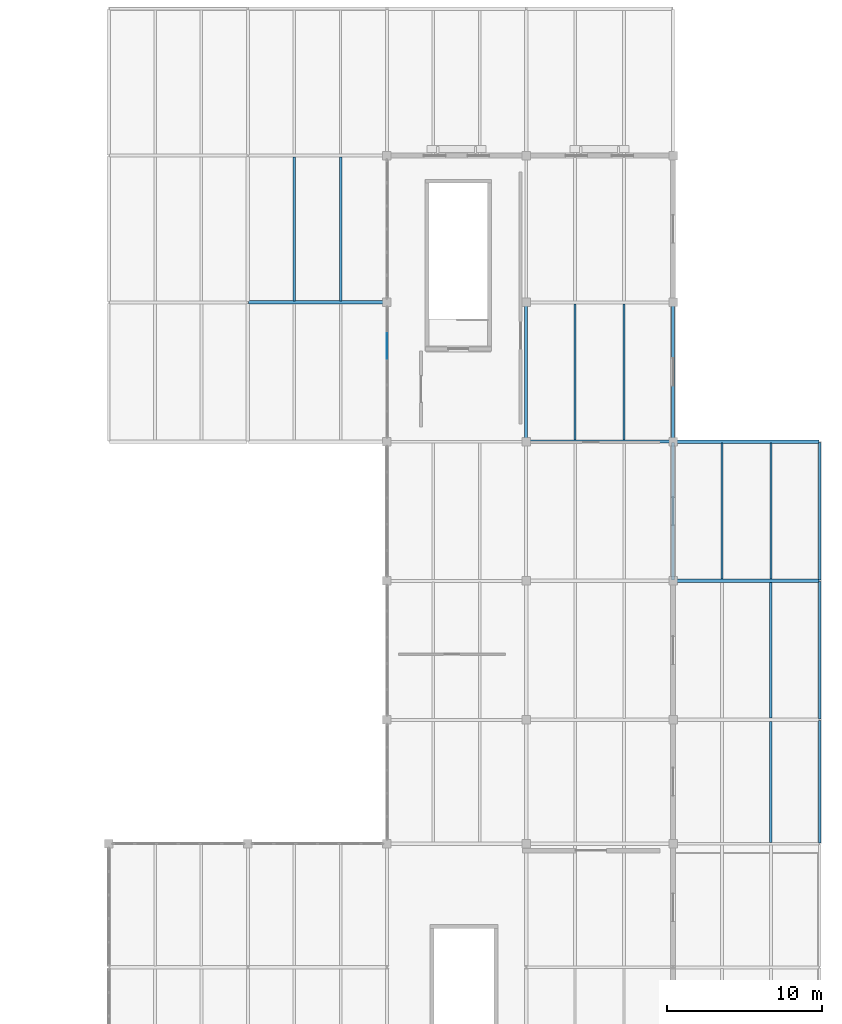
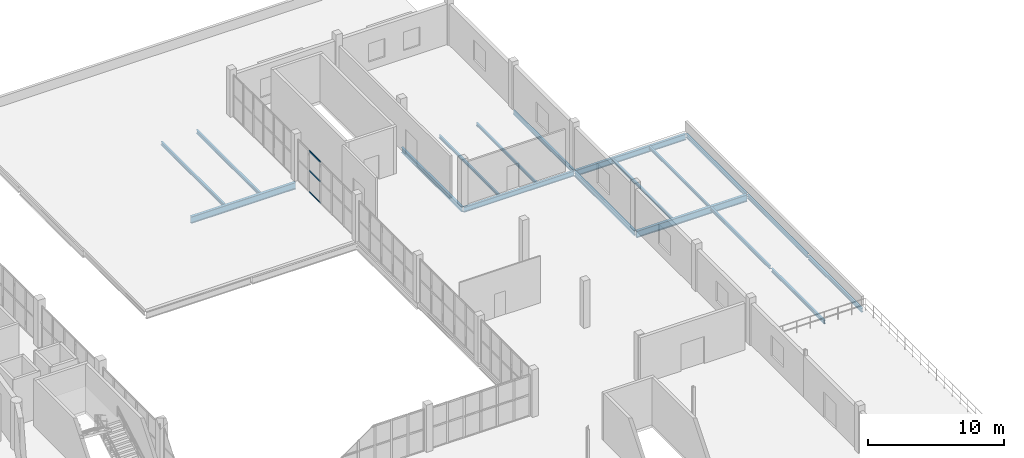
# One storey, part 31 of 54: 18 beams, 3 members, 1 element without a shape of its own.
"""IFC4 building model written with IfcOpenShell, lengths in metres."""

from ifc_helpers import new_model, si_unit, direction, frame, origin, origin_2d, place, context, subcontext, project, spatial, rectangle, i_section, extrude, material, layer, layer_set, material_profile, profile_set, type_object, element, aggregate, save


model = new_model("IFC4")

# Units and contexts
model_context = context("Model", 3, precision=1e-05, world=origin(), true_north=direction((0.0, 1.0)))
body_context = subcontext(model_context, "Body", "Model", "MODEL_VIEW")
ifc_project = project(units=[si_unit("LENGTHUNIT", "METRE"), si_unit("AREAUNIT", "SQUARE_METRE"), si_unit("VOLUMEUNIT", "CUBIC_METRE"), si_unit("PLANEANGLEUNIT", "RADIAN"), si_unit("MASSUNIT", "GRAM", prefix="KILO")], contexts=[model_context])

# Site, building, storey
site_placement = place(None, origin())
site = spatial("IfcSite", under=ifc_project, at=site_placement, CompositionType="ELEMENT")
building_placement = place(site_placement, origin())
building = spatial("IfcBuilding", under=site, at=building_placement, Name="Marnock Terrace Opera House", CompositionType="ELEMENT")
storey_placement = place(building_placement, frame((0.0, 0.0, 19.199951171875)))
storey = spatial("IfcBuildingStorey", under=building, at=storey_placement, Name="L04", CompositionType="ELEMENT", Elevation=19.199951171875)

# Beams
ifc_material_1 = material(Name="Steel Grade 350 (AS/NZS 3679.1)", Category="steel")
ifc_material_profile_1 = material_profile(ifc_material_1, i_section(OverallWidth=0.1708984375, OverallDepth=0.355712890625, WebThickness=0.00732421875, FlangeThickness=0.011474609375, FilletRadius=0.011474609375, at=origin_2d()))
ifc_profile_set_1 = profile_set([ifc_material_profile_1], Name="Steel Grade 350 (AS/NZS 3679.1)")
beam_type_1 = type_object("IfcBeamType", Name="BM-GIRD-360", PredefinedType="BEAM", material=ifc_profile_set_1)
beam_1_placement = place(storey_placement, frame((154.5, 66.050048828125, -0.427734375), z_axis=(0.0, 1.0, 0.0), x_axis=(-1.0, 0.0, 0.0)))
element("IfcBeam", 1, at=beam_1_placement, inside=storey, type_object=beam_type_1, Name="L04 girder (X=154.5, 66.0..75.0)", PredefinedType="BEAM", context=body_context, shape_type="SweptSolid", body=[
    extrude(i_section(OverallWidth=0.1708984375, OverallDepth=0.355712890625, WebThickness=0.00732421875, FlangeThickness=0.011474609375, FilletRadius=0.011474609375, at=origin_2d()), origin(), (0.0, 0.0, 1.0), 8.89990234375),
])
ifc_material_profile_2 = material_profile(ifc_material_1, i_section(OverallWidth=0.19091796875, OverallDepth=0.46044921875, WebThickness=0.010009765625, FlangeThickness=0.01611328125, FilletRadius=0.011474609375, at=origin_2d()))
ifc_profile_set_2 = profile_set([ifc_material_profile_2], Name="Steel Grade 350 (AS/NZS 3679.1)")
beam_type_2 = type_object("IfcBeamType", Name="BM-GIRD-460A", PredefinedType="BEAM", material=ifc_profile_set_2)
beam_2_placement = place(storey_placement, frame((145.050048828125, 66.0, -0.480224609375), z_axis=(1.0, 0.0, 0.0), x_axis=(0.0, 1.0, 0.0)))
element("IfcBeam", 2, at=beam_2_placement, inside=storey, type_object=beam_type_2, Name="L04 girder (145.0..154.5, Y=66.0)", PredefinedType="BEAM", context=body_context, shape_type="SweptSolid", body=[
    extrude(i_section(OverallWidth=0.19091796875, OverallDepth=0.46044921875, WebThickness=0.010009765625, FlangeThickness=0.01611328125, FilletRadius=0.011474609375, at=origin_2d()), origin(), (0.0, 0.0, 1.0), 9.39990234375),
])
ifc_material_profile_3 = material_profile(ifc_material_1, i_section(OverallWidth=0.18994140625, OverallDepth=0.45751953125, WebThickness=0.009033203125, FlangeThickness=0.014404296875, FilletRadius=0.011474609375, at=origin_2d()))
ifc_profile_set_3 = profile_set([ifc_material_profile_3], Name="Steel Grade 350 (AS/NZS 3679.1)")
beam_type_3 = type_object("IfcBeamType", Name="BM-GIRD-460B", PredefinedType="BEAM", material=ifc_profile_set_3)
for number, where, z_axis, x_axis, name in (
    (3, (145.0, 66.050048828125, -0.478759765625), (0.0, 1.0, 0.0), (-1.0, 0.0, 0.0), "L04 girder (X=145.0, 66.0..75.0)"),
    (4, (154.5, 57.050048828125, -0.478759765625), (0.0, 1.0, 0.0), (-1.0, 0.0, 0.0), "L04 girder (X=154.5, 57.0..66.0)"),
):
    element("IfcBeam", number, at=place(storey_placement, frame(where, z_axis=z_axis, x_axis=x_axis)), inside=storey, type_object=beam_type_3, Name=name, PredefinedType="BEAM", context=body_context, shape_type="SweptSolid", body=[
        extrude(i_section(OverallWidth=0.18994140625, OverallDepth=0.45751953125, WebThickness=0.009033203125, FlangeThickness=0.014404296875, FilletRadius=0.011474609375, at=origin_2d()), origin(), (0.0, 0.0, 1.0), 8.89990234375),
    ])
ifc_material_profile_4 = material_profile(ifc_material_1, i_section(OverallWidth=0.208984375, OverallDepth=0.532958984375, WebThickness=0.01025390625, FlangeThickness=0.015625, FilletRadius=0.013916015625, at=origin_2d()))
ifc_profile_set_4 = profile_set([ifc_material_profile_4], Name="Steel Grade 350 (AS/NZS 3679.1)")
beam_type_4 = type_object("IfcBeamType", Name="BM-GIRD-530A", PredefinedType="BEAM", material=ifc_profile_set_4)
beam_3_placement = place(storey_placement, frame((154.550048828125, 66.0, -0.516357421875), z_axis=(1.0, 0.0, 0.0), x_axis=(0.0, 1.0, 0.0)))
element("IfcBeam", 5, at=beam_3_placement, inside=storey, type_object=beam_type_4, Name="L04 girder (154.5..164.0, Y=66.0)", PredefinedType="BEAM", context=body_context, shape_type="SweptSolid", body=[
    extrude(i_section(OverallWidth=0.208984375, OverallDepth=0.532958984375, WebThickness=0.01025390625, FlangeThickness=0.015625, FilletRadius=0.013916015625, at=origin_2d()), origin(), (0.0, 0.0, 1.0), 9.39990234375),
])
ifc_material_profile_5 = material_profile(ifc_material_1, i_section(OverallWidth=0.22802734375, OverallDepth=0.60693359375, WebThickness=0.01123046875, FlangeThickness=0.017333984375, FilletRadius=0.013916015625, at=origin_2d()))
ifc_profile_set_5 = profile_set([ifc_material_profile_5], Name="Steel Grade 350 (AS/NZS 3679.1)")
beam_type_5 = type_object("IfcBeamType", Name="BM-GIRD-610B", PredefinedType="BEAM", material=ifc_profile_set_5)
beam_4_placement = place(storey_placement, frame((154.550048828125, 57.0, -0.553466796875), z_axis=(1.0, 0.0, 0.0), x_axis=(0.0, 1.0, 0.0)))
element("IfcBeam", 6, at=beam_4_placement, inside=storey, type_object=beam_type_5, Name="L04 girder (154.5..164.0, Y=57.0)", PredefinedType="BEAM", context=body_context, shape_type="SweptSolid", body=[
    extrude(i_section(OverallWidth=0.22802734375, OverallDepth=0.60693359375, WebThickness=0.01123046875, FlangeThickness=0.017333984375, FilletRadius=0.013916015625, at=origin_2d()), origin(), (0.0, 0.0, 1.0), 9.39990234375),
])
beam_5_placement = place(storey_placement, frame((127.050048828125, 75.0, -0.553466796875), z_axis=(1.0, 0.0, 0.0), x_axis=(0.0, 1.0, 0.0)))
element("IfcBeam", 7, at=beam_5_placement, inside=storey, type_object=beam_type_5, Name="L04 girder (127.0..136.0, Y=75.0)", PredefinedType="BEAM", context=body_context, shape_type="SweptSolid", body=[
    extrude(i_section(OverallWidth=0.22802734375, OverallDepth=0.60693359375, WebThickness=0.01123046875, FlangeThickness=0.017333984375, FilletRadius=0.013916015625, at=origin_2d()), origin(), (0.0, 0.0, 1.0), 8.89990234375),
])
ifc_material_profile_6 = material_profile(ifc_material_1, i_section(OverallWidth=0.14599609375, OverallDepth=0.256103515625, WebThickness=0.00634765625, FlangeThickness=0.010986328125, FilletRadius=0.0087890625, at=origin_2d()))
ifc_profile_set_6 = profile_set([ifc_material_profile_6], Name="Steel Grade 350 (AS/NZS 3679.1)")
beam_type_6 = type_object("IfcBeamType", Name="BM-JOIST-250", PredefinedType="JOIST", material=ifc_profile_set_6)
for number, where, z_axis, x_axis, name in (
    (8, (148.166748046875, 66.090576171875, -0.3779296875), (0.0, 1.0, 0.0), (-1.0, 0.0, 0.0), "L04 secondary joist 16.8.1"),
    (9, (151.333251953125, 66.090576171875, -0.3779296875), (0.0, 1.0, 0.0), (-1.0, 0.0, 0.0), "L04 secondary joist 16.8.2"),
):
    element("IfcBeam", number, at=place(storey_placement, frame(where, z_axis=z_axis, x_axis=x_axis)), inside=storey, type_object=beam_type_6, Name=name, PredefinedType="JOIST", context=body_context, shape_type="SweptSolid", body=[
        extrude(i_section(OverallWidth=0.14599609375, OverallDepth=0.256103515625, WebThickness=0.00634765625, FlangeThickness=0.010986328125, FilletRadius=0.0087890625, at=origin_2d()), origin(), (0.0, 0.0, 1.0), 8.825439453125),
    ])
for number, where, z_axis, x_axis, name in (
    (10, (157.666748046875, 57.10888671875, -0.34814453125), (0.0, 1.0, 0.0), (-1.0, 0.0, 0.0), "L04 secondary joist 17.7.1"),
    (11, (160.833251953125, 57.10888671875, -0.34814453125), (0.0, 1.0, 0.0), (-1.0, 0.0, 0.0), "L04 secondary joist 17.7.2"),
):
    element("IfcBeam", number, at=place(storey_placement, frame(where, z_axis=z_axis, x_axis=x_axis)), inside=storey, type_object=beam_type_6, Name=name, PredefinedType="JOIST", context=body_context, shape_type="SweptSolid", body=[
        extrude(i_section(OverallWidth=0.14599609375, OverallDepth=0.256103515625, WebThickness=0.00634765625, FlangeThickness=0.010986328125, FilletRadius=0.0087890625, at=origin_2d()), origin(), (0.0, 0.0, 1.0), 8.79150390625),
    ])
ifc_material_profile_7 = material_profile(ifc_material_1, i_section(OverallWidth=0.166015625, OverallDepth=0.30712890625, WebThickness=0.006591796875, FlangeThickness=0.01171875, FilletRadius=0.011474609375, at=origin_2d()))
ifc_profile_set_7 = profile_set([ifc_material_profile_7], Name="Steel Grade 350 (AS/NZS 3679.1)")
beam_type_7 = type_object("IfcBeamType", Name="BM-JOIST-310A", PredefinedType="JOIST", material=ifc_profile_set_7)
beam_6_placement = place(storey_placement, frame((160.833251953125, 40.083984375, -0.423583984375), z_axis=(0.0, 1.0, 0.0), x_axis=(-1.0, 0.0, 0.0)))
element("IfcBeam", 12, at=beam_6_placement, inside=storey, type_object=beam_type_7, Name="L04 secondary joist 17.5.2", PredefinedType="JOIST", context=body_context, shape_type="SweptSolid", body=[
    extrude(i_section(OverallWidth=0.166015625, OverallDepth=0.30712890625, WebThickness=0.006591796875, FlangeThickness=0.01171875, FilletRadius=0.011474609375, at=origin_2d()), origin(), (0.0, 0.0, 1.0), 7.806396484375),
])
ifc_material_profile_8 = material_profile(ifc_material_1, i_section(OverallWidth=0.1650390625, OverallDepth=0.3037109375, WebThickness=0.006103515625, FlangeThickness=0.01025390625, FilletRadius=0.011474609375, at=origin_2d()))
ifc_profile_set_8 = profile_set([ifc_material_profile_8], Name="Steel Grade 350 (AS/NZS 3679.1)")
beam_type_8 = type_object("IfcBeamType", Name="BM-JOIST-310B", PredefinedType="JOIST", material=ifc_profile_set_8)
for number, where, z_axis, x_axis, name in (
    (13, (130.0, 75.10888671875, -0.371826171875), (0.0, 1.0, 0.0), (-1.0, 0.0, 0.0), "L04 secondary joist 14.9.1"),
    (14, (133.0, 75.10888671875, -0.371826171875), (0.0, 1.0, 0.0), (-1.0, 0.0, 0.0), "L04 secondary joist 14.9.2"),
):
    element("IfcBeam", number, at=place(storey_placement, frame(where, z_axis=z_axis, x_axis=x_axis)), inside=storey, type_object=beam_type_8, Name=name, PredefinedType="JOIST", context=body_context, shape_type="SweptSolid", body=[
        extrude(i_section(OverallWidth=0.1650390625, OverallDepth=0.3037109375, WebThickness=0.006103515625, FlangeThickness=0.01025390625, FilletRadius=0.011474609375, at=origin_2d()), origin(), (0.0, 0.0, 1.0), 9.29150390625),
    ])
beam_7_placement = place(storey_placement, frame((160.833251953125, 48.109619140625, -0.371826171875), z_axis=(0.0, 1.0, 0.0), x_axis=(-1.0, 0.0, 0.0)))
element("IfcBeam", 15, at=beam_7_placement, inside=storey, type_object=beam_type_8, Name="L04 secondary joist 17.6.2", PredefinedType="JOIST", context=body_context, shape_type="SweptSolid", body=[
    extrude(i_section(OverallWidth=0.1650390625, OverallDepth=0.3037109375, WebThickness=0.006103515625, FlangeThickness=0.01025390625, FilletRadius=0.011474609375, at=origin_2d()), origin(), (0.0, 0.0, 1.0), 8.781494140625),
])
ifc_material_profile_9 = material_profile(ifc_material_1, i_section(OverallWidth=0.172119140625, OverallDepth=0.358642578125, WebThickness=0.008056640625, FlangeThickness=0.012939453125, FilletRadius=0.011474609375, at=origin_2d()))
ifc_profile_set_9 = profile_set([ifc_material_profile_9], Name="Steel Grade 350 (AS/NZS 3679.1)")
beam_type_9 = type_object("IfcBeamType", Name="BM-SPAN-360", PredefinedType="SPANDREL", material=ifc_profile_set_9)
beam_8_placement = place(storey_placement, frame((164.0, 40.050048828125, -0.44921875), z_axis=(0.0, 1.0, 0.0), x_axis=(-1.0, 0.0, 0.0)))
element("IfcBeam", 16, at=beam_8_placement, inside=storey, type_object=beam_type_9, Name="L04 girder (X=164.0, 40.0..48.0)", PredefinedType="SPANDREL", context=body_context, shape_type="SweptSolid", body=[
    extrude(i_section(OverallWidth=0.172119140625, OverallDepth=0.358642578125, WebThickness=0.008056640625, FlangeThickness=0.012939453125, FilletRadius=0.011474609375, at=origin_2d()), origin(), (0.0, 0.0, 1.0), 7.89990234375),
])
for number, where, z_axis, x_axis, name in (
    (17, (164.0, 48.050048828125, -0.399169921875), (0.0, 1.0, 0.0), (-1.0, 0.0, 0.0), "L04 girder (X=164.0, 48.0..57.0)"),
    (18, (164.0, 57.050048828125, -0.399169921875), (0.0, 1.0, 0.0), (-1.0, 0.0, 0.0), "L04 girder (X=164.0, 57.0..66.0)"),
):
    element("IfcBeam", number, at=place(storey_placement, frame(where, z_axis=z_axis, x_axis=x_axis)), inside=storey, type_object=beam_type_9, Name=name, PredefinedType="SPANDREL", context=body_context, shape_type="SweptSolid", body=[
        extrude(i_section(OverallWidth=0.172119140625, OverallDepth=0.358642578125, WebThickness=0.008056640625, FlangeThickness=0.012939453125, FilletRadius=0.011474609375, at=origin_2d()), origin(), (0.0, 0.0, 1.0), 8.89990234375),
    ])

# Curtain wall, members
ifc_material_2 = material(Name="Anodised architectural bronze aluminium framing", Category="aluminium")
ifc_layer = layer(ifc_material_2, 0.159912109375)
ifc_layer_set = layer_set([ifc_layer], Name="Anodised architectural bronze aluminium framing")
curtain_wall_type = type_object("IfcCurtainWallType", Name="CW-DRUM-71x39", PredefinedType="NOTDEFINED", material=ifc_layer_set)
curtain_wall_placement = place(storey_placement, origin())
curtain_wall = element("IfcCurtainWall", 19, at=curtain_wall_placement, inside=storey, type_object=curtain_wall_type, Name="L04 glazed Beaux-Arts colonnade curtain wall CW-L04-V5C4", PredefinedType="NOTDEFINED")
ifc_material_profile_10 = material_profile(ifc_material_2, rectangle(XDim=0.06005859375, YDim=0.1298828125, at=origin_2d()))
ifc_profile_set_10 = profile_set([ifc_material_profile_10], Name="Anodised architectural bronze aluminium framing")
member_type = type_object("IfcMemberType", Name="CWT-60x130", PredefinedType="USERDEFINED", material=ifc_profile_set_10)
member_1_placement = place(storey_placement, frame((136.0, 71.375732421875, 0.030029296875), z_axis=(0.0, 1.0, 0.0), x_axis=(-1.0, 0.0, 0.0)))
member_1 = element("IfcMember", 20, at=member_1_placement, type_object=member_type, Name="CW-76 transom 4.1", ObjectType="TRANSOM", PredefinedType="USERDEFINED", context=body_context, shape_type="SweptSolid", body=[
    extrude(rectangle(XDim=0.06005859375, YDim=0.1298828125, at=origin_2d()), origin(), (0.0, 0.0, 1.0), 1.631591796875),
])
member_2_placement = place(storey_placement, frame((136.0, 71.375732421875, 1.935546875), z_axis=(0.0, 1.0, 0.0), x_axis=(-1.0, 0.0, 0.0)))
member_2 = element("IfcMember", 21, at=member_2_placement, type_object=member_type, Name="CW-76 transom 4.2", ObjectType="TRANSOM", PredefinedType="USERDEFINED", context=body_context, shape_type="SweptSolid", body=[
    extrude(rectangle(XDim=0.06005859375, YDim=0.1298828125, at=origin_2d()), origin(), (0.0, 0.0, 1.0), 1.631591796875),
])
member_3_placement = place(storey_placement, frame((136.0, 71.375732421875, 3.692138671875), z_axis=(0.0, 1.0, 0.0), x_axis=(-1.0, 0.0, 0.0)))
member_3 = element("IfcMember", 22, at=member_3_placement, type_object=member_type, Name="CW-76 transom 4.3", ObjectType="TRANSOM", PredefinedType="USERDEFINED", context=body_context, shape_type="SweptSolid", body=[
    extrude(rectangle(XDim=0.06005859375, YDim=0.1298828125, at=origin_2d()), origin(), (0.0, 0.0, 1.0), 1.631591796875),
])
aggregate(curtain_wall, [member_1, member_2, member_3])

save(model, "model.ifc")
